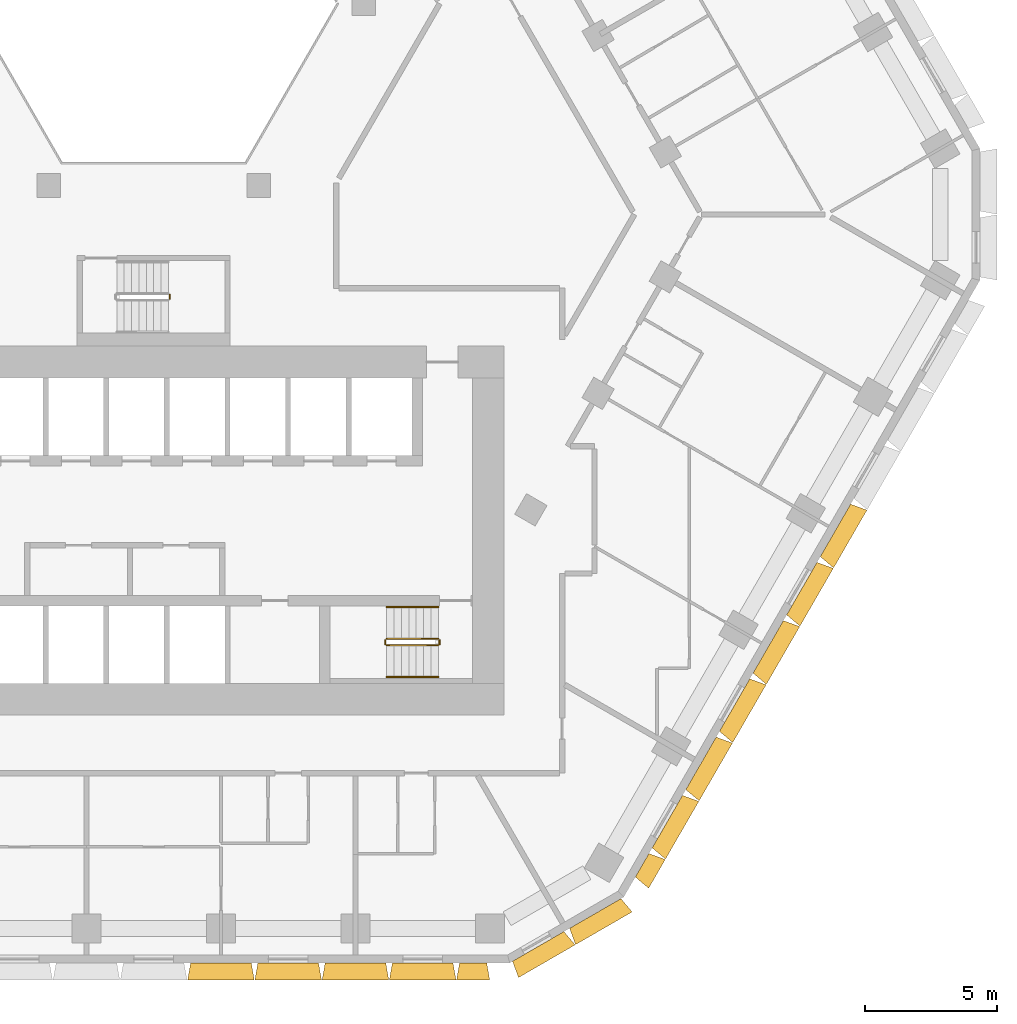
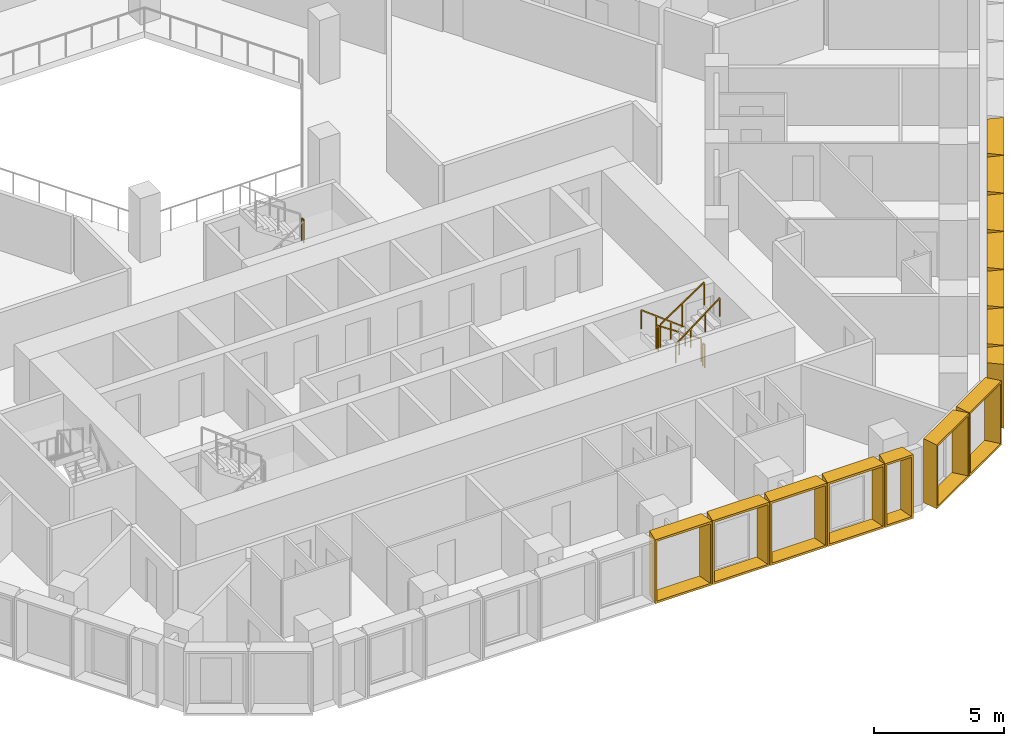
# One storey, part 15 of 16: 14 shading devices, 7 railings.
"""IFC4 building model written with IfcOpenShell, lengths in metres."""

import ifcopenshell
import ifcopenshell.guid

model = None  # the IFC model being written
_history = None  # IfcOwnerHistory: only IFC2X3 demands one
_inside = {}  # id of a spatial element -> (the spatial element, [elements in it])
_under = {}  # id of a project, library or spatial element -> (it, [spatial elements below it])
_declared = {}  # id of a project -> (the project, [libraries it declares])
_typed = {}  # id of a type object -> (the type object, [elements of that type])
_made_of = {}  # id of a material, layer set ... -> (it, [elements and type objects made of it])


def new_model(schema):
    """Start an empty IFC model of exactly this schema.

    Asked for "IFC4X3", IfcOpenShell would pick the latest addendum, in which some entities
    have other attributes; the version numbers below select the first issue.
    IFC2X3 requires an IfcOwnerHistory on every rooted entity: one is made here for all.
    """
    global model, _history
    if schema == "IFC4X3":
        model = ifcopenshell.file(schema_version=(4, 3, 0, 0))
    else:
        model = ifcopenshell.file(schema=schema)
    _inside.clear()
    _under.clear()
    _declared.clear()
    _typed.clear()
    _made_of.clear()
    _history = None
    if model.schema == "IFC2X3":
        org = make("IfcOrganization", Name="unknown")
        user = make(
            "IfcPersonAndOrganization",
            ThePerson=make("IfcPerson", FamilyName="unknown"),
            TheOrganization=org,
        )
        app = make(
            "IfcApplication",
            ApplicationDeveloper=org,
            Version="unknown",
            ApplicationFullName="unknown",
            ApplicationIdentifier="unknown",
        )
        _history = make(
            "IfcOwnerHistory",
            OwningUser=user,
            OwningApplication=app,
            ChangeAction="ADDED",
            CreationDate=0,
        )
    return model


def make(cls, **values):
    """One entity of the class cls with the attributes given. An attribute that is None is left unset."""
    return model.create_entity(
        cls, **{name: value for name, value in values.items() if value is not None}
    )


def entity(cls, *values):
    """Any entity or typed value of the class cls, its attributes in the order of the schema. None: left unset."""
    e = model.create_entity(cls)
    for i, value in enumerate(values):
        if value is not None:
            e[i] = value
    return e


def rooted(cls, **values):
    """An entity with a GlobalId (a new one), such as an element, a storey or a relation."""
    return make(cls, GlobalId=ifcopenshell.guid.new(), OwnerHistory=_history, **values)


def si_unit(unit_type, name, prefix=None):
    """IfcSIUnit, for example si_unit("LENGTHUNIT", "METRE", prefix="MILLI")."""
    return make("IfcSIUnit", UnitType=unit_type, Prefix=prefix, Name=name)


def assignment(units):
    """IfcUnitAssignment: the units of a project."""
    return None if units is None else make("IfcUnitAssignment", Units=units)


def point(xyz):
    """IfcCartesianPoint."""
    return None if xyz is None else make("IfcCartesianPoint", Coordinates=xyz)


def direction(xyz):
    """IfcDirection."""
    return None if xyz is None else make("IfcDirection", DirectionRatios=xyz)


def frame(location, z_axis=None, x_axis=None):
    """IfcAxis2Placement3D, a coordinate frame: its origin and axes. An axis left out is left unset."""
    return make(
        "IfcAxis2Placement3D",
        Location=point(location),
        Axis=direction(z_axis),
        RefDirection=direction(x_axis),
    )


def frame_2d(location, x_axis=None):
    """IfcAxis2Placement2D, a coordinate frame in the plane: its origin and x axis."""
    return make(
        "IfcAxis2Placement2D", Location=point(location), RefDirection=direction(x_axis)
    )


def origin():
    """The frame at (0, 0, 0) with its axes left unset."""
    return frame((0.0, 0.0, 0.0))


def origin_2d():
    """The frame at (0, 0) in the plane with its x axis left unset."""
    return frame_2d((0.0, 0.0))


def place(relative_to, where):
    """IfcLocalPlacement: puts the frame where relative to a parent placement (None: the world)."""
    return make(
        "IfcLocalPlacement", PlacementRelTo=relative_to, RelativePlacement=where
    )


def context(
    kind, dimensions, precision=None, world=None, true_north=None, identifier=None
):
    """IfcGeometricRepresentationContext, for example the 3D "Model" context."""
    return make(
        "IfcGeometricRepresentationContext",
        ContextIdentifier=identifier,
        ContextType=kind,
        CoordinateSpaceDimension=dimensions,
        Precision=precision,
        WorldCoordinateSystem=world,
        TrueNorth=true_north,
    )


def subcontext(parent, identifier, kind, view, scale=None):
    """IfcGeometricRepresentationSubContext, for example "Body" below "Model"."""
    return make(
        "IfcGeometricRepresentationSubContext",
        ContextIdentifier=identifier,
        ContextType=kind,
        ParentContext=parent,
        TargetScale=scale,
        TargetView=view,
    )


def project(units=None, contexts=None):
    """IfcProject with its units and contexts."""
    return rooted(
        "IfcProject",
        Name="project",
        RepresentationContexts=contexts,
        UnitsInContext=assignment(units),
    )


def spatial(cls, under=None, at=None, **own):
    """A site, building, storey or space (cls), placed at a placement, below another one or the project."""
    s = rooted(cls, ObjectPlacement=at, **own)
    if under is not None:
        _under.setdefault(under.id(), (under, []))[1].append(s)
    return s


def profile(cls, at=None, kind="AREA", **sizes):
    """A parametric profile (cls). Its sizes go by their IFC names, for example OverallWidth=200.0."""
    return make(cls, ProfileType=kind, Position=at, **sizes)


def rectangle(**sizes):
    """IfcRectangleProfileDef."""
    return profile("IfcRectangleProfileDef", **sizes)


def extrude(swept, where, along, depth):
    """IfcExtrudedAreaSolid: the profile swept, set in the frame where, extruded along a direction by depth."""
    return make(
        "IfcExtrudedAreaSolid",
        SweptArea=swept,
        Position=where,
        ExtrudedDirection=direction(along),
        Depth=depth,
    )


def shape(context_of_items, identifier, shape_type, items):
    """IfcShapeRepresentation: the items that make up one representation, for example the "Body"."""
    return make(
        "IfcShapeRepresentation",
        ContextOfItems=context_of_items,
        RepresentationIdentifier=identifier,
        RepresentationType=shape_type,
        Items=items,
    )


def source(mapping_origin, context_of_items, identifier, shape_type, items):
    """IfcRepresentationMap: a shape defined once, which mapped items show again and again."""
    return make(
        "IfcRepresentationMap",
        MappingOrigin=mapping_origin,
        MappedRepresentation=shape(context_of_items, identifier, shape_type, items),
    )


def transform(
    local_origin,
    x_axis=None,
    y_axis=None,
    z_axis=None,
    scale=None,
    scale2=None,
    scale3=None,
    uniform=True,
):
    """IfcCartesianTransformationOperator3D, or its non-uniform kind. x_axis, y_axis, z_axis: its Axis1, 2, 3."""
    if uniform:
        return make(
            "IfcCartesianTransformationOperator3D",
            Axis1=direction(x_axis),
            Axis2=direction(y_axis),
            LocalOrigin=point(local_origin),
            Scale=scale,
            Axis3=direction(z_axis),
        )
    return make(
        "IfcCartesianTransformationOperator3DnonUniform",
        Axis1=direction(x_axis),
        Axis2=direction(y_axis),
        LocalOrigin=point(local_origin),
        Scale=scale,
        Axis3=direction(z_axis),
        Scale2=scale2,
        Scale3=scale3,
    )


def mapped(mapping_source, mapping_target):
    """IfcMappedItem: shows the shape of a source again, moved by a transform."""
    return make(
        "IfcMappedItem", MappingSource=mapping_source, MappingTarget=mapping_target
    )


def material(Name=None, Category=None):
    """IfcMaterial."""
    return make("IfcMaterial", Name=Name, Category=Category)


def made_of(thing, what):
    """Note that an element or type object is made of a material, layer set ...; save() writes the relation."""
    if what is not None:
        _made_of.setdefault(what.id(), (what, []))[1].append(thing)
    return thing


def type_object(cls, material=None, **own):
    """A type object (cls), such as IfcWallType, which elements share."""
    return made_of(rooted(cls, **own), material)


def type_shapes(of_type, sources):
    """Give a type object the sources (RepresentationMaps) that its elements show as mapped items."""
    of_type.RepresentationMaps = sources


def element(
    cls,
    number,
    at=None,
    inside=None,
    cuts=None,
    type_object=None,
    material=None,
    context=None,
    identifier="Body",
    shape_type=None,
    held_by="IfcProductDefinitionShape",
    body=None,
    shapes=None,
    **own,
):
    """One element of the class cls, such as IfcWall. Its Tag is "e" and its number.

    at: its placement. inside: the storey or other place that contains it. cuts: it is an
    opening in that element (IfcRelVoidsElement). A single representation is given by context,
    identifier, shape_type and body (its items); several are given by shapes. held_by: the class
    of the entity that holds the representations. save() writes the other relations.
    """
    e = rooted(cls, Tag="e%d" % number, ObjectPlacement=at, **own)
    if body is not None:
        shapes = [shape(context, identifier, shape_type, body)]
    if shapes is not None:
        e.Representation = make(held_by, Representations=shapes)
    if inside is not None:
        _inside.setdefault(inside.id(), (inside, []))[1].append(e)
    if cuts is not None:
        rooted(
            "IfcRelVoidsElement", RelatingBuildingElement=cuts, RelatedOpeningElement=e
        )
    if type_object is not None:
        _typed.setdefault(type_object.id(), (type_object, []))[1].append(e)
    return made_of(e, material)


def aggregate(whole, parts):
    """IfcRelAggregates: a whole, such as a stair, and the parts it consists of."""
    return rooted("IfcRelAggregates", RelatingObject=whole, RelatedObjects=parts)


def save(model, path):
    """Write the relations noted so far, then the file.

    IfcRelAggregates (storeys below a building ...), IfcRelContainedInSpatialStructure (elements
    in a storey), IfcRelDefinesByType, IfcRelAssociatesMaterial and IfcRelDeclares: one each for
    every whole, place, type object, material and project.
    """
    for whole, parts in _under.values():
        aggregate(whole, parts)
    for where, things in _inside.values():
        rooted(
            "IfcRelContainedInSpatialStructure",
            RelatedElements=things,
            RelatingStructure=where,
        )
    for kind, things in _typed.values():
        rooted("IfcRelDefinesByType", RelatedObjects=things, RelatingType=kind)
    for what, things in _made_of.values():
        rooted("IfcRelAssociatesMaterial", RelatedObjects=things, RelatingMaterial=what)
    for by, libraries in _declared.values():
        rooted("IfcRelDeclares", RelatingContext=by, RelatedDefinitions=libraries)
    model.write(path)


model = new_model("IFC4")

# Units and contexts
model_context = context("Model", 3, precision=1e-05, world=origin(), true_north=direction((0.0, 1.0)))
body_context = subcontext(model_context, "Body", "Model", "MODEL_VIEW")
ifc_project = project(units=[si_unit("LENGTHUNIT", "METRE"), si_unit("AREAUNIT", "SQUARE_METRE"), si_unit("VOLUMEUNIT", "CUBIC_METRE"), si_unit("PLANEANGLEUNIT", "RADIAN"), si_unit("MASSUNIT", "GRAM", prefix="KILO")], contexts=[model_context])

# Site, building, storey
site_placement = place(None, origin())
site = spatial("IfcSite", under=ifc_project, at=site_placement, CompositionType="ELEMENT")
building_placement = place(site_placement, origin())
building = spatial("IfcBuilding", under=site, at=building_placement, Name="Beryl Residences", CompositionType="ELEMENT")
storey_placement = place(building_placement, frame((0.0, 0.0, 44.39990234375)))
storey = spatial("IfcBuildingStorey", under=building, at=storey_placement, Name="L13", CompositionType="ELEMENT", Elevation=44.39990234375)

# Shading devices
ifc_material_1 = material(Name="Aluminium pale anodised", Category="aluminium")
shading_device_type_1 = type_object("IfcShadingDeviceType", Name="FR128-65A OUTER SKIN frame 650 mm deep, splay 10/10 deg, 1280 x 3000 mm cell", PredefinedType="USERDEFINED", material=ifc_material_1)
cartesian_point_1 = entity("IfcCartesianPoint", [-0.514892578125, 0.0])
cartesian_point_2 = entity("IfcCartesianPoint", [-0.433837890625, 0.10009765625])
cartesian_point_3 = entity("IfcCartesianPoint", [-0.629638671875, 0.0])
cartesian_point_4 = entity("IfcCartesianPoint", [-0.54833984375, 0.10009765625])
shared_shape_1 = source(origin(), body_context, "Body", "SweptSolid", [
    entity("IfcExtrudedAreaSolidTapered", entity("IfcArbitraryProfileDefWithVoids", "AREA", None, entity("IfcPolyline", [cartesian_point_1, entity("IfcCartesianPoint", [0.514892578125, 0.0]), entity("IfcCartesianPoint", [0.514892578125, 3.0]), entity("IfcCartesianPoint", [-0.514892578125, 3.0]), cartesian_point_1]), [entity("IfcPolyline", [cartesian_point_2, entity("IfcCartesianPoint", [0.433837890625, 0.10009765625]), entity("IfcCartesianPoint", [0.433837890625, 2.89990234375]), entity("IfcCartesianPoint", [-0.433837890625, 2.89990234375]), cartesian_point_2])]), entity("IfcAxis2Placement3D", entity("IfcCartesianPoint", [0.0, 0.0, 0.0]), entity("IfcDirection", [0.0, 1.0, 0.0]), entity("IfcDirection", [-1.0, 0.0, 0.0])), entity("IfcDirection", [0.0, 0.0, 1.0]), 0.64990234375, entity("IfcArbitraryProfileDefWithVoids", "AREA", None, entity("IfcPolyline", [cartesian_point_3, entity("IfcCartesianPoint", [0.629638671875, 0.0]), entity("IfcCartesianPoint", [0.629638671875, 3.0]), entity("IfcCartesianPoint", [-0.629638671875, 3.0]), cartesian_point_3]), [entity("IfcPolyline", [cartesian_point_4, entity("IfcCartesianPoint", [0.54833984375, 0.10009765625]), entity("IfcCartesianPoint", [0.54833984375, 2.89990234375]), entity("IfcCartesianPoint", [-0.54833984375, 2.89990234375]), cartesian_point_4])])),
])
type_shapes(shading_device_type_1, [shared_shape_1])
for number, where, z_axis, x_axis, name in (
    (1, (12.123046875, -28.39990234375, 0.0), (0.0, 0.0, 1.0), (-1.0, 0.0, 0.0), "FR128-65A frame L13 S 11"),
    (2, (18.534912109375, -24.697021484375, 0.0), (0.0, 0.0, 1.0), (-0.5, -0.866025403784, 0.0), "FR128-65A frame L13 SE 1"),
):
    element("IfcShadingDevice", number, at=place(storey_placement, frame(where, z_axis=z_axis, x_axis=x_axis)), inside=storey, type_object=shading_device_type_1, Name=name, ObjectType="OUTER SKIN", PredefinedType="USERDEFINED", context=body_context, shape_type="MappedRepresentation", body=[
        mapped(shared_shape_1, transform((0.0, 0.0, 0.0))),
    ])
ifc_material_2 = material(Name="Aluminium pale anodised", Category="aluminium")
shading_device_type_2 = type_object("IfcShadingDeviceType", Name="FR250-65A OUTER SKIN frame 650 mm deep, splay 10/10 deg, 2500 x 3000 mm cell", PredefinedType="USERDEFINED", material=ifc_material_2)
cartesian_point_5 = entity("IfcCartesianPoint", [-1.125, 0.0])
cartesian_point_6 = entity("IfcCartesianPoint", [-1.043701171875, 0.10009765625])
cartesian_point_7 = entity("IfcCartesianPoint", [-1.239501953125, 0.0])
cartesian_point_8 = entity("IfcCartesianPoint", [-1.158447265625, 0.10009765625])
shared_shape_2 = source(origin(), body_context, "Body", "SweptSolid", [
    entity("IfcExtrudedAreaSolidTapered", entity("IfcArbitraryProfileDefWithVoids", "AREA", None, entity("IfcPolyline", [cartesian_point_5, entity("IfcCartesianPoint", [1.125, 0.0]), entity("IfcCartesianPoint", [1.125, 3.0]), entity("IfcCartesianPoint", [-1.125, 3.0]), cartesian_point_5]), [entity("IfcPolyline", [cartesian_point_6, entity("IfcCartesianPoint", [1.043701171875, 0.10009765625]), entity("IfcCartesianPoint", [1.043701171875, 2.89990234375]), entity("IfcCartesianPoint", [-1.043701171875, 2.89990234375]), cartesian_point_6])]), entity("IfcAxis2Placement3D", entity("IfcCartesianPoint", [0.0, 0.0, 0.0]), entity("IfcDirection", [0.0, 1.0, 0.0]), entity("IfcDirection", [-1.0, 0.0, 0.0])), entity("IfcDirection", [0.0, 0.0, 1.0]), 0.64990234375, entity("IfcArbitraryProfileDefWithVoids", "AREA", None, entity("IfcPolyline", [cartesian_point_7, entity("IfcCartesianPoint", [1.239501953125, 0.0]), entity("IfcCartesianPoint", [1.239501953125, 3.0]), entity("IfcCartesianPoint", [-1.239501953125, 3.0]), cartesian_point_7]), [entity("IfcPolyline", [cartesian_point_8, entity("IfcCartesianPoint", [1.158447265625, 0.10009765625]), entity("IfcCartesianPoint", [1.158447265625, 2.89990234375]), entity("IfcCartesianPoint", [-1.158447265625, 2.89990234375]), cartesian_point_8])])),
])
type_shapes(shading_device_type_2, [shared_shape_2])
for number, where, z_axis, x_axis, name in (
    (3, (14.593017578125, -27.77490234375, 0.0), (0.0, 0.0, 1.0), (-0.866025403784, -0.5, 0.0), "FR250-65A frame L13 S-SE 1"),
    (4, (16.758056640625, -26.52490234375, 0.0), (0.0, 0.0, 1.0), (-0.866025403784, -0.5, 0.0), "FR250-65A frame L13 S-SE 2"),
):
    element("IfcShadingDevice", number, at=place(storey_placement, frame(where, z_axis=z_axis, x_axis=x_axis)), inside=storey, type_object=shading_device_type_2, Name=name, ObjectType="OUTER SKIN", PredefinedType="USERDEFINED", context=body_context, shape_type="MappedRepresentation", body=[
        mapped(shared_shape_2, transform((0.0, 0.0, 0.0))),
    ])
ifc_material_3 = material(Name="Aluminium pale anodised", Category="aluminium")
shading_device_type_3 = type_object("IfcShadingDeviceType", Name="FR255-65A OUTER SKIN frame 650 mm deep, splay 10/10 deg, 2550 x 3000 mm cell", PredefinedType="USERDEFINED", material=ifc_material_3)
cartesian_point_9 = entity("IfcCartesianPoint", [-1.14990234375, 0.0])
cartesian_point_10 = entity("IfcCartesianPoint", [-1.06884765625, 0.10009765625])
cartesian_point_11 = entity("IfcCartesianPoint", [-1.2646484375, 0.0])
cartesian_point_12 = entity("IfcCartesianPoint", [-1.183349609375, 0.10009765625])
shared_shape_3 = source(origin(), body_context, "Body", "SweptSolid", [
    entity("IfcExtrudedAreaSolidTapered", entity("IfcArbitraryProfileDefWithVoids", "AREA", None, entity("IfcPolyline", [cartesian_point_9, entity("IfcCartesianPoint", [1.14990234375, 0.0]), entity("IfcCartesianPoint", [1.14990234375, 3.0]), entity("IfcCartesianPoint", [-1.14990234375, 3.0]), cartesian_point_9]), [entity("IfcPolyline", [cartesian_point_10, entity("IfcCartesianPoint", [1.06884765625, 0.10009765625]), entity("IfcCartesianPoint", [1.06884765625, 2.89990234375]), entity("IfcCartesianPoint", [-1.06884765625, 2.89990234375]), cartesian_point_10])]), entity("IfcAxis2Placement3D", entity("IfcCartesianPoint", [0.0, 0.0, 0.0]), entity("IfcDirection", [0.0, 1.0, 0.0]), entity("IfcDirection", [-1.0, 0.0, 0.0])), entity("IfcDirection", [0.0, 0.0, 1.0]), 0.64990234375, entity("IfcArbitraryProfileDefWithVoids", "AREA", None, entity("IfcPolyline", [cartesian_point_11, entity("IfcCartesianPoint", [1.2646484375, 0.0]), entity("IfcCartesianPoint", [1.2646484375, 3.0]), entity("IfcCartesianPoint", [-1.2646484375, 3.0]), cartesian_point_11]), [entity("IfcPolyline", [cartesian_point_12, entity("IfcCartesianPoint", [1.183349609375, 0.10009765625]), entity("IfcCartesianPoint", [1.183349609375, 2.89990234375]), entity("IfcCartesianPoint", [-1.183349609375, 2.89990234375]), cartesian_point_12])])),
])
type_shapes(shading_device_type_3, [shared_shape_3])
for number, where, z_axis, x_axis, name in (
    (5, (2.552978515625, -28.39990234375, 0.0), (0.0, 0.0, 1.0), (-1.0, 0.0, 0.0), "FR255-65A frame L13 S 7"),
    (6, (5.10498046875, -28.39990234375, 0.0), (0.0, 0.0, 1.0), (-1.0, 0.0, 0.0), "FR255-65A frame L13 S 8"),
    (7, (7.656982421875, -28.39990234375, 0.0), (0.0, 0.0, 1.0), (-1.0, 0.0, 0.0), "FR255-65A frame L13 S 9"),
    (8, (10.208984375, -28.39990234375, 0.0), (0.0, 0.0, 1.0), (-1.0, 0.0, 0.0), "FR255-65A frame L13 S 10"),
    (9, (19.491943359375, -23.0400390625, 0.0), (0.0, 0.0, 1.0), (-0.5, -0.866025403784, 0.0), "FR255-65A frame L13 SE 2"),
    (10, (20.76806640625, -20.830078125, 0.0), (0.0, 0.0, 1.0), (-0.5, -0.866025403784, 0.0), "FR255-65A frame L13 SE 3"),
    (11, (22.0439453125, -18.618896484375, 0.0), (0.0, 0.0, 1.0), (-0.5, -0.866025403784, 0.0), "FR255-65A frame L13 SE 4"),
    (12, (23.320068359375, -16.408935546875, 0.0), (0.0, 0.0, 1.0), (-0.5, -0.866025403784, 0.0), "FR255-65A frame L13 SE 5"),
    (13, (24.594970703125, -14.198974609375, 0.0), (0.0, 0.0, 1.0), (-0.5, -0.866025403784, 0.0), "FR255-65A frame L13 SE 6"),
    (14, (25.87109375, -11.989013671875, 0.0), (0.0, 0.0, 1.0), (-0.5, -0.866025403784, 0.0), "FR255-65A frame L13 SE 7"),
):
    element("IfcShadingDevice", number, at=place(storey_placement, frame(where, z_axis=z_axis, x_axis=x_axis)), inside=storey, type_object=shading_device_type_3, Name=name, ObjectType="OUTER SKIN", PredefinedType="USERDEFINED", context=body_context, shape_type="MappedRepresentation", body=[
        mapped(shared_shape_3, transform((0.0, 0.0, 0.0))),
    ])

# Railings
ifc_material_4 = material(Name="Stainless steel balustrade with glass infill", Category="steel")
railing_type_1 = type_object("IfcRailingType", Name="SG1 stair guard 1100 mm", PredefinedType="GUARDRAIL", material=ifc_material_4)
railing_1_placement = place(storey_placement, frame((10.800048828125, -16.10009765625, 0.1875)))
element("IfcRailing", 15, at=railing_1_placement, inside=storey, type_object=railing_type_1, Name="L13 ST-3 stair guard 1", PredefinedType="GUARDRAIL", context=body_context, shape_type="SweptSolid", body=[
    extrude(rectangle(XDim=0.048095703125, YDim=0.048095703125, at=origin_2d()), frame((0.0, 0.0, 1.076171875), z_axis=(-0.830902050051, 0.0, 0.556418712142), x_axis=(0.0, -1.0, 0.0)), (0.0, 0.0, 1.0), 2.35888671875),
    extrude(rectangle(XDim=0.0419921875, YDim=0.0419921875, at=origin_2d()), origin(), (0.0, 0.0, 1.0), 1.052001953125),
    extrude(rectangle(XDim=0.0419921875, YDim=0.0419921875, at=origin_2d()), frame((-0.97998046875, 0.0, 0.65625)), (0.0, 0.0, 1.0), 1.052001953125),
    extrude(rectangle(XDim=0.0419921875, YDim=0.0419921875, at=origin_2d()), frame((-1.9599609375, 0.0, 1.3125)), (0.0, 0.0, 1.0), 1.052001953125),
])
railing_2_placement = place(storey_placement, frame((8.7900390625, -16.14990234375, 1.5)))
element("IfcRailing", 16, at=railing_2_placement, inside=storey, type_object=railing_type_1, Name="L13 ST-3 stair guard 2", PredefinedType="GUARDRAIL", context=body_context, shape_type="SweptSolid", body=[
    extrude(rectangle(XDim=0.048095703125, YDim=0.048095703125, at=origin_2d()), frame((0.0, 0.0, 1.076171875), z_axis=(0.0, -1.0, 0.0), x_axis=(1.0, 0.0, 0.0)), (0.0, 0.0, 1.0), 0.150146484375),
    extrude(rectangle(XDim=0.0419921875, YDim=0.0419921875, at=origin_2d()), origin(), (0.0, 0.0, 1.0), 1.052001953125),
    extrude(rectangle(XDim=0.0419921875, YDim=0.0419921875, at=origin_2d()), frame((0.0, -0.150146484375, 0.0)), (0.0, 0.0, 1.0), 1.052001953125),
])
railing_3_placement = place(storey_placement, frame((8.840087890625, -16.35009765625, 1.6875)))
element("IfcRailing", 17, at=railing_3_placement, inside=storey, type_object=railing_type_1, Name="L13 ST-3 stair guard 3", PredefinedType="GUARDRAIL", context=body_context, shape_type="SweptSolid", body=[
    extrude(rectangle(XDim=0.048095703125, YDim=0.048095703125, at=origin_2d()), frame((0.0, 0.0, 1.076171875), z_axis=(0.830902050051, 0.0, 0.556418712142), x_axis=(0.0, 1.0, 0.0)), (0.0, 0.0, 1.0), 2.35888671875),
    extrude(rectangle(XDim=0.0419921875, YDim=0.0419921875, at=origin_2d()), origin(), (0.0, 0.0, 1.0), 1.052001953125),
    extrude(rectangle(XDim=0.0419921875, YDim=0.0419921875, at=origin_2d()), frame((0.97998046875, 0.0, 0.65625)), (0.0, 0.0, 1.0), 1.052001953125),
    extrude(rectangle(XDim=0.0419921875, YDim=0.0419921875, at=origin_2d()), frame((1.9599609375, 0.0, 1.3125)), (0.0, 0.0, 1.0), 1.052001953125),
])
railing_4_placement = place(storey_placement, frame((10.85009765625, -16.14990234375, 0.0)))
element("IfcRailing", 18, at=railing_4_placement, inside=storey, type_object=railing_type_1, Name="L13 ST-3 stair guard 4", PredefinedType="GUARDRAIL", context=body_context, shape_type="SweptSolid", body=[
    extrude(rectangle(XDim=0.048095703125, YDim=0.048095703125, at=origin_2d()), frame((0.0, 0.0, 1.076171875), z_axis=(0.0, -1.0, 0.0), x_axis=(1.0, 0.0, 0.0)), (0.0, 0.0, 1.0), 0.150146484375),
    extrude(rectangle(XDim=0.0419921875, YDim=0.0419921875, at=origin_2d()), origin(), (0.0, 0.0, 1.0), 1.052001953125),
    extrude(rectangle(XDim=0.0419921875, YDim=0.0419921875, at=origin_2d()), frame((0.0, -0.150146484375, 0.0)), (0.0, 0.0, 1.0), 1.052001953125),
])
railing_5_placement = place(storey_placement, frame((0.610107421875, -3.199951171875, 1.5)))
element("IfcRailing", 19, at=railing_5_placement, inside=storey, type_object=railing_type_1, Name="L13 ST-4 stair guard 2", PredefinedType="GUARDRAIL", context=body_context, shape_type="SweptSolid", body=[
    extrude(rectangle(XDim=0.048095703125, YDim=0.048095703125, at=origin_2d()), frame((0.0, 0.0, 1.076171875), z_axis=(0.0, 1.0, 0.0), x_axis=(-1.0, 0.0, 0.0)), (0.0, 0.0, 1.0), 0.14990234375),
    extrude(rectangle(XDim=0.0419921875, YDim=0.0419921875, at=origin_2d()), origin(), (0.0, 0.0, 1.0), 1.052001953125),
    extrude(rectangle(XDim=0.0419921875, YDim=0.0419921875, at=origin_2d()), frame((0.0, 0.14990234375, 0.0)), (0.0, 0.0, 1.0), 1.052001953125),
])
ifc_material_5 = material(Name="Stainless steel handrail", Category="steel")
railing_type_2 = type_object("IfcRailingType", Name="SRL1 stair handrail 900 mm", PredefinedType="HANDRAIL", material=ifc_material_5)
railing_6_placement = place(storey_placement, frame((10.800048828125, -14.89990234375, 0.1875)))
element("IfcRailing", 20, at=railing_6_placement, inside=storey, type_object=railing_type_2, Name="L13 ST-3 stair handrail 1", PredefinedType="HANDRAIL", context=body_context, shape_type="SweptSolid", body=[
    extrude(rectangle(XDim=0.048095703125, YDim=0.048095703125, at=origin_2d()), frame((0.0, 0.0, 0.8759765625), z_axis=(-0.794121922505, 0.0, 0.607758481798), x_axis=(0.0, -1.0, 0.0)), (0.0, 0.0, 1.0), 2.468017578125),
    extrude(rectangle(XDim=0.0419921875, YDim=0.0419921875, at=origin_2d()), origin(), (0.0, 0.0, 1.0), 0.851806640625),
    extrude(rectangle(XDim=0.0419921875, YDim=0.0419921875, at=origin_2d()), frame((-0.6533203125, 0.0, 0.5)), (0.0, 0.0, 1.0), 0.851806640625),
    extrude(rectangle(XDim=0.0419921875, YDim=0.0419921875, at=origin_2d()), frame((-1.306640625, 0.0, 1.0)), (0.0, 0.0, 1.0), 0.851806640625),
    extrude(rectangle(XDim=0.0419921875, YDim=0.0419921875, at=origin_2d()), frame((-1.9599609375, 0.0, 1.5)), (0.0, 0.0, 1.0), 0.851806640625),
])
railing_7_placement = place(storey_placement, frame((8.840087890625, -17.550048828125, 1.6875)))
element("IfcRailing", 21, at=railing_7_placement, inside=storey, type_object=railing_type_2, Name="L13 ST-3 stair handrail 2", PredefinedType="HANDRAIL", context=body_context, shape_type="SweptSolid", body=[
    extrude(rectangle(XDim=0.048095703125, YDim=0.048095703125, at=origin_2d()), frame((0.0, 0.0, 0.8759765625), z_axis=(0.794121922505, 0.0, 0.607758481798), x_axis=(0.0, 1.0, 0.0)), (0.0, 0.0, 1.0), 2.468017578125),
    extrude(rectangle(XDim=0.0419921875, YDim=0.0419921875, at=origin_2d()), origin(), (0.0, 0.0, 1.0), 0.851806640625),
    extrude(rectangle(XDim=0.0419921875, YDim=0.0419921875, at=origin_2d()), frame((0.6533203125, 0.0, 0.5)), (0.0, 0.0, 1.0), 0.851806640625),
    extrude(rectangle(XDim=0.0419921875, YDim=0.0419921875, at=origin_2d()), frame((1.306640625, 0.0, 1.0)), (0.0, 0.0, 1.0), 0.851806640625),
    extrude(rectangle(XDim=0.0419921875, YDim=0.0419921875, at=origin_2d()), frame((1.9599609375, 0.0, 1.5)), (0.0, 0.0, 1.0), 0.851806640625),
])

save(model, "model.ifc")
